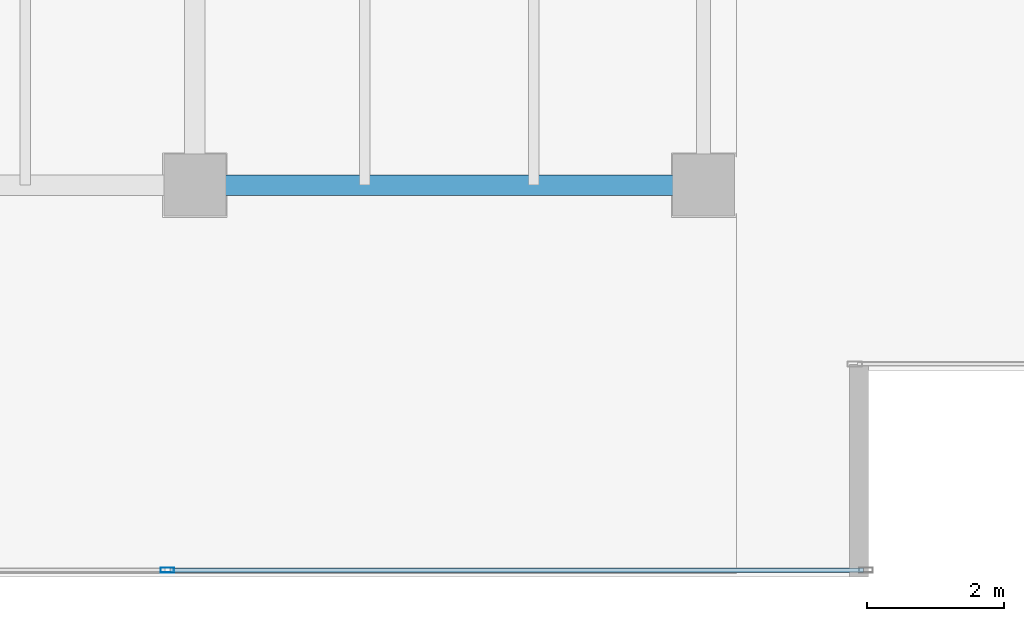
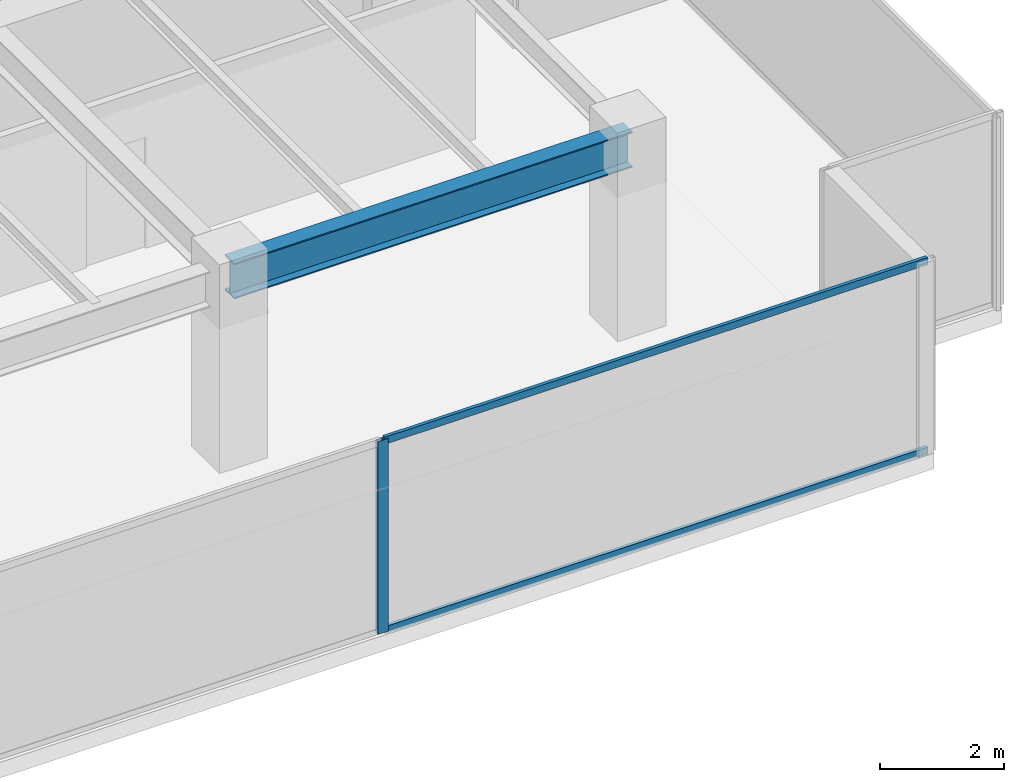
# One storey, part 12 of 33: 3 members, 1 beam, 1 element without a shape of its own.
"""IFC4 building model written with IfcOpenShell, lengths in metres."""

import ifcopenshell
import ifcopenshell.guid

model = None  # the IFC model being written
_history = None  # IfcOwnerHistory: only IFC2X3 demands one
_inside = {}  # id of a spatial element -> (the spatial element, [elements in it])
_under = {}  # id of a project, library or spatial element -> (it, [spatial elements below it])
_declared = {}  # id of a project -> (the project, [libraries it declares])
_typed = {}  # id of a type object -> (the type object, [elements of that type])
_made_of = {}  # id of a material, layer set ... -> (it, [elements and type objects made of it])


def new_model(schema):
    """Start an empty IFC model of exactly this schema.

    Asked for "IFC4X3", IfcOpenShell would pick the latest addendum, in which some entities
    have other attributes; the version numbers below select the first issue.
    IFC2X3 requires an IfcOwnerHistory on every rooted entity: one is made here for all.
    """
    global model, _history
    if schema == "IFC4X3":
        model = ifcopenshell.file(schema_version=(4, 3, 0, 0))
    else:
        model = ifcopenshell.file(schema=schema)
    _inside.clear()
    _under.clear()
    _declared.clear()
    _typed.clear()
    _made_of.clear()
    _history = None
    if model.schema == "IFC2X3":
        org = make("IfcOrganization", Name="unknown")
        user = make(
            "IfcPersonAndOrganization",
            ThePerson=make("IfcPerson", FamilyName="unknown"),
            TheOrganization=org,
        )
        app = make(
            "IfcApplication",
            ApplicationDeveloper=org,
            Version="unknown",
            ApplicationFullName="unknown",
            ApplicationIdentifier="unknown",
        )
        _history = make(
            "IfcOwnerHistory",
            OwningUser=user,
            OwningApplication=app,
            ChangeAction="ADDED",
            CreationDate=0,
        )
    return model


def make(cls, **values):
    """One entity of the class cls with the attributes given. An attribute that is None is left unset."""
    return model.create_entity(
        cls, **{name: value for name, value in values.items() if value is not None}
    )


def rooted(cls, **values):
    """An entity with a GlobalId (a new one), such as an element, a storey or a relation."""
    return make(cls, GlobalId=ifcopenshell.guid.new(), OwnerHistory=_history, **values)


def si_unit(unit_type, name, prefix=None):
    """IfcSIUnit, for example si_unit("LENGTHUNIT", "METRE", prefix="MILLI")."""
    return make("IfcSIUnit", UnitType=unit_type, Prefix=prefix, Name=name)


def assignment(units):
    """IfcUnitAssignment: the units of a project."""
    return None if units is None else make("IfcUnitAssignment", Units=units)


def point(xyz):
    """IfcCartesianPoint."""
    return None if xyz is None else make("IfcCartesianPoint", Coordinates=xyz)


def direction(xyz):
    """IfcDirection."""
    return None if xyz is None else make("IfcDirection", DirectionRatios=xyz)


def frame(location, z_axis=None, x_axis=None):
    """IfcAxis2Placement3D, a coordinate frame: its origin and axes. An axis left out is left unset."""
    return make(
        "IfcAxis2Placement3D",
        Location=point(location),
        Axis=direction(z_axis),
        RefDirection=direction(x_axis),
    )


def frame_2d(location, x_axis=None):
    """IfcAxis2Placement2D, a coordinate frame in the plane: its origin and x axis."""
    return make(
        "IfcAxis2Placement2D", Location=point(location), RefDirection=direction(x_axis)
    )


def origin():
    """The frame at (0, 0, 0) with its axes left unset."""
    return frame((0.0, 0.0, 0.0))


def origin_2d():
    """The frame at (0, 0) in the plane with its x axis left unset."""
    return frame_2d((0.0, 0.0))


def place(relative_to, where):
    """IfcLocalPlacement: puts the frame where relative to a parent placement (None: the world)."""
    return make(
        "IfcLocalPlacement", PlacementRelTo=relative_to, RelativePlacement=where
    )


def context(
    kind, dimensions, precision=None, world=None, true_north=None, identifier=None
):
    """IfcGeometricRepresentationContext, for example the 3D "Model" context."""
    return make(
        "IfcGeometricRepresentationContext",
        ContextIdentifier=identifier,
        ContextType=kind,
        CoordinateSpaceDimension=dimensions,
        Precision=precision,
        WorldCoordinateSystem=world,
        TrueNorth=true_north,
    )


def subcontext(parent, identifier, kind, view, scale=None):
    """IfcGeometricRepresentationSubContext, for example "Body" below "Model"."""
    return make(
        "IfcGeometricRepresentationSubContext",
        ContextIdentifier=identifier,
        ContextType=kind,
        ParentContext=parent,
        TargetScale=scale,
        TargetView=view,
    )


def project(units=None, contexts=None):
    """IfcProject with its units and contexts."""
    return rooted(
        "IfcProject",
        Name="project",
        RepresentationContexts=contexts,
        UnitsInContext=assignment(units),
    )


def spatial(cls, under=None, at=None, **own):
    """A site, building, storey or space (cls), placed at a placement, below another one or the project."""
    s = rooted(cls, ObjectPlacement=at, **own)
    if under is not None:
        _under.setdefault(under.id(), (under, []))[1].append(s)
    return s


def profile(cls, at=None, kind="AREA", **sizes):
    """A parametric profile (cls). Its sizes go by their IFC names, for example OverallWidth=200.0."""
    return make(cls, ProfileType=kind, Position=at, **sizes)


def hollow_rectangle(**sizes):
    """IfcRectangleHollowProfileDef."""
    return profile("IfcRectangleHollowProfileDef", **sizes)


def i_section(**sizes):
    """IfcIShapeProfileDef."""
    return profile("IfcIShapeProfileDef", **sizes)


def extrude(swept, where, along, depth):
    """IfcExtrudedAreaSolid: the profile swept, set in the frame where, extruded along a direction by depth."""
    return make(
        "IfcExtrudedAreaSolid",
        SweptArea=swept,
        Position=where,
        ExtrudedDirection=direction(along),
        Depth=depth,
    )


def shape(context_of_items, identifier, shape_type, items):
    """IfcShapeRepresentation: the items that make up one representation, for example the "Body"."""
    return make(
        "IfcShapeRepresentation",
        ContextOfItems=context_of_items,
        RepresentationIdentifier=identifier,
        RepresentationType=shape_type,
        Items=items,
    )


def source(mapping_origin, context_of_items, identifier, shape_type, items):
    """IfcRepresentationMap: a shape defined once, which mapped items show again and again."""
    return make(
        "IfcRepresentationMap",
        MappingOrigin=mapping_origin,
        MappedRepresentation=shape(context_of_items, identifier, shape_type, items),
    )


def transform(
    local_origin,
    x_axis=None,
    y_axis=None,
    z_axis=None,
    scale=None,
    scale2=None,
    scale3=None,
    uniform=True,
):
    """IfcCartesianTransformationOperator3D, or its non-uniform kind. x_axis, y_axis, z_axis: its Axis1, 2, 3."""
    if uniform:
        return make(
            "IfcCartesianTransformationOperator3D",
            Axis1=direction(x_axis),
            Axis2=direction(y_axis),
            LocalOrigin=point(local_origin),
            Scale=scale,
            Axis3=direction(z_axis),
        )
    return make(
        "IfcCartesianTransformationOperator3DnonUniform",
        Axis1=direction(x_axis),
        Axis2=direction(y_axis),
        LocalOrigin=point(local_origin),
        Scale=scale,
        Axis3=direction(z_axis),
        Scale2=scale2,
        Scale3=scale3,
    )


def mapped(mapping_source, mapping_target):
    """IfcMappedItem: shows the shape of a source again, moved by a transform."""
    return make(
        "IfcMappedItem", MappingSource=mapping_source, MappingTarget=mapping_target
    )


def material(Name=None, Category=None):
    """IfcMaterial."""
    return make("IfcMaterial", Name=Name, Category=Category)


def layer(
    of_material, thickness, ventilated=None, Name=None, Category=None, Priority=None
):
    """IfcMaterialLayer: one layer of a wall or slab, of a material (None: an air gap)."""
    return make(
        "IfcMaterialLayer",
        Material=of_material,
        LayerThickness=thickness,
        IsVentilated=ventilated,
        Name=Name,
        Category=Category,
        Priority=Priority,
    )


def layer_set(layers, Name=None):
    """IfcMaterialLayerSet."""
    return make("IfcMaterialLayerSet", MaterialLayers=layers, LayerSetName=Name)


def material_profile(
    of_material, cross_section, Name=None, Category=None, Priority=None
):
    """IfcMaterialProfile: a cross section and its material."""
    return make(
        "IfcMaterialProfile",
        Name=Name,
        Material=of_material,
        Profile=cross_section,
        Priority=Priority,
        Category=Category,
    )


def profile_set(profiles, Name=None, composite=None):
    """IfcMaterialProfileSet."""
    return make(
        "IfcMaterialProfileSet",
        Name=Name,
        MaterialProfiles=profiles,
        CompositeProfile=composite,
    )


def made_of(thing, what):
    """Note that an element or type object is made of a material, layer set ...; save() writes the relation."""
    if what is not None:
        _made_of.setdefault(what.id(), (what, []))[1].append(thing)
    return thing


def type_object(cls, material=None, **own):
    """A type object (cls), such as IfcWallType, which elements share."""
    return made_of(rooted(cls, **own), material)


def type_shapes(of_type, sources):
    """Give a type object the sources (RepresentationMaps) that its elements show as mapped items."""
    of_type.RepresentationMaps = sources


def element(
    cls,
    number,
    at=None,
    inside=None,
    cuts=None,
    type_object=None,
    material=None,
    context=None,
    identifier="Body",
    shape_type=None,
    held_by="IfcProductDefinitionShape",
    body=None,
    shapes=None,
    **own,
):
    """One element of the class cls, such as IfcWall. Its Tag is "e" and its number.

    at: its placement. inside: the storey or other place that contains it. cuts: it is an
    opening in that element (IfcRelVoidsElement). A single representation is given by context,
    identifier, shape_type and body (its items); several are given by shapes. held_by: the class
    of the entity that holds the representations. save() writes the other relations.
    """
    e = rooted(cls, Tag="e%d" % number, ObjectPlacement=at, **own)
    if body is not None:
        shapes = [shape(context, identifier, shape_type, body)]
    if shapes is not None:
        e.Representation = make(held_by, Representations=shapes)
    if inside is not None:
        _inside.setdefault(inside.id(), (inside, []))[1].append(e)
    if cuts is not None:
        rooted(
            "IfcRelVoidsElement", RelatingBuildingElement=cuts, RelatedOpeningElement=e
        )
    if type_object is not None:
        _typed.setdefault(type_object.id(), (type_object, []))[1].append(e)
    return made_of(e, material)


def aggregate(whole, parts):
    """IfcRelAggregates: a whole, such as a stair, and the parts it consists of."""
    return rooted("IfcRelAggregates", RelatingObject=whole, RelatedObjects=parts)


def save(model, path):
    """Write the relations noted so far, then the file.

    IfcRelAggregates (storeys below a building ...), IfcRelContainedInSpatialStructure (elements
    in a storey), IfcRelDefinesByType, IfcRelAssociatesMaterial and IfcRelDeclares: one each for
    every whole, place, type object, material and project.
    """
    for whole, parts in _under.values():
        aggregate(whole, parts)
    for where, things in _inside.values():
        rooted(
            "IfcRelContainedInSpatialStructure",
            RelatedElements=things,
            RelatingStructure=where,
        )
    for kind, things in _typed.values():
        rooted("IfcRelDefinesByType", RelatedObjects=things, RelatingType=kind)
    for what, things in _made_of.values():
        rooted("IfcRelAssociatesMaterial", RelatedObjects=things, RelatingMaterial=what)
    for by, libraries in _declared.values():
        rooted("IfcRelDeclares", RelatingContext=by, RelatedDefinitions=libraries)
    model.write(path)


model = new_model("IFC4")

# Units and contexts
model_context = context("Model", 3, precision=1e-05, world=origin(), true_north=direction((0.0, 1.0)))
body_context = subcontext(model_context, "Body", "Model", "MODEL_VIEW")
ifc_project = project(units=[si_unit("LENGTHUNIT", "METRE"), si_unit("AREAUNIT", "SQUARE_METRE"), si_unit("VOLUMEUNIT", "CUBIC_METRE"), si_unit("PLANEANGLEUNIT", "RADIAN"), si_unit("MASSUNIT", "GRAM", prefix="KILO")], contexts=[model_context])

# Site, building, storey
site_placement = place(None, origin())
site = spatial("IfcSite", under=ifc_project, at=site_placement, CompositionType="ELEMENT")
building_placement = place(site_placement, origin())
building = spatial("IfcBuilding", under=site, at=building_placement, Name="Haelvirn Gate Laboratories", CompositionType="ELEMENT")
storey_placement = place(building_placement, frame((0.0, 0.0, 117.39990234375)))
storey = spatial("IfcBuildingStorey", under=building, at=storey_placement, Name="L28", CompositionType="ELEMENT", Elevation=117.39990234375)

# Beam
ifc_material_1 = material(Name="Steel SM355", Category="steel")
ifc_material_profile_1 = material_profile(ifc_material_1, i_section(OverallWidth=0.300048828125, OverallDepth=0.699951171875, WebThickness=0.012939453125, FlangeThickness=0.02392578125, at=origin_2d()), Name="H-700x300x13x24")
ifc_profile_set_1 = profile_set([ifc_material_profile_1], Name="Steel SM355")
beam_type = type_object("IfcBeamType", Name="BM-G-700", PredefinedType="BEAM", material=ifc_profile_set_1)
shared_shape_1 = source(origin(), body_context, "Body", "SweptSolid", [
    extrude(i_section(OverallWidth=0.300048828125, OverallDepth=0.699951171875, WebThickness=0.012939453125, FlangeThickness=0.02392578125, at=origin_2d()), origin(), (0.0, 0.0, 1.0), 7.39990234375),
])
type_shapes(beam_type, [shared_shape_1])
beam_placement = place(storey_placement, frame((60.0, 7.0, 3.440185546875), z_axis=(1.0, 0.0, 0.0), x_axis=(0.0, 1.0, 0.0)))
element("IfcBeam", 1, at=beam_placement, inside=storey, type_object=beam_type, Name="L28 Primary Girder Y7.0 (60.0-67.4)", PredefinedType="BEAM", context=body_context, shape_type="MappedRepresentation", body=[
    mapped(shared_shape_1, transform((0.0, 0.0, 0.0), scale=1.0)),
])

# Curtain wall, members
ifc_material_2 = material(Name="Anodised bronze unitised aluminium & triple low-E glass", Category="aluminium")
ifc_layer = layer(ifc_material_2, 0.179931640625, Name="CW-SYS-3")
ifc_layer_set = layer_set([ifc_layer], Name="Anodised bronze unitised aluminium & triple low-E glass")
curtain_wall_type = type_object("IfcCurtainWallType", Name="CW-SYS-3", PredefinedType="NOTDEFINED", material=ifc_layer_set)
curtain_wall_placement = place(storey_placement, origin())
curtain_wall = element("IfcCurtainWall", 2, at=curtain_wall_placement, inside=storey, type_object=curtain_wall_type, Name="L28 Unitised Curtain Wall CW-L28-P0-E04-1", PredefinedType="NOTDEFINED")
ifc_material_3 = material(Name="Extruded aluminium 6063-T6 (anodised bronze)", Category="aluminium")
ifc_material_profile_2 = material_profile(ifc_material_3, hollow_rectangle(XDim=0.06494140625, YDim=0.139892578125, WallThickness=0.00390625, at=origin_2d()), Name="CWT-140x65x4")
ifc_profile_set_2 = profile_set([ifc_material_profile_2], Name="Extruded aluminium 6063-T6 (anodised bronze)")
member_type_1 = type_object("IfcMemberType", Name="CWT-T140", PredefinedType="USERDEFINED", material=ifc_profile_set_2)
shared_shape_2 = source(origin(), body_context, "Body", "SweptSolid", [
    extrude(hollow_rectangle(XDim=0.06494140625, YDim=0.139892578125, WallThickness=0.00390625, at=origin_2d()), origin(), (0.0, 0.0, 1.0), 10.087646484375),
])
type_shapes(member_type_1, [shared_shape_2])
member_1_placement = place(storey_placement, frame((59.637451171875, 1.39990234375, 0.03271484375), z_axis=(1.0, 0.0, 0.0), x_axis=(0.0, 1.0, 0.0)))
member_1 = element("IfcMember", 3, at=member_1_placement, type_object=member_type_1, Name="CW3 transom 2.1", ObjectType="TRANSOM", PredefinedType="USERDEFINED", context=body_context, shape_type="MappedRepresentation", body=[
    mapped(shared_shape_2, transform((0.0, 0.0, 0.0), scale=1.0)),
])
member_2_placement = place(storey_placement, frame((59.637451171875, 1.39990234375, 3.757568359375), z_axis=(1.0, 0.0, 0.0), x_axis=(0.0, 1.0, 0.0)))
member_2 = element("IfcMember", 4, at=member_2_placement, type_object=member_type_1, Name="CW3 transom 2.2", ObjectType="TRANSOM", PredefinedType="USERDEFINED", context=body_context, shape_type="MappedRepresentation", body=[
    mapped(shared_shape_2, transform((0.0, 0.0, 0.0), scale=1.0)),
])
ifc_material_profile_3 = material_profile(ifc_material_3, hollow_rectangle(XDim=0.074951171875, YDim=0.199951171875, WallThickness=0.0048828125, at=origin_2d()), Name="CWM-200x75x5")
ifc_profile_set_3 = profile_set([ifc_material_profile_3], Name="Extruded aluminium 6063-T6 (anodised bronze)")
member_type_2 = type_object("IfcMemberType", Name="CWM-T200", PredefinedType="MULLION", material=ifc_profile_set_3)
shared_shape_3 = source(origin(), body_context, "Body", "SweptSolid", [
    extrude(hollow_rectangle(XDim=0.074951171875, YDim=0.199951171875, WallThickness=0.0048828125, at=origin_2d()), origin(), (0.0, 0.0, 1.0), 3.7900390625),
])
type_shapes(member_type_2, [shared_shape_3])
member_3_placement = place(storey_placement, frame((59.60009765625, 1.39990234375, 0.0), z_axis=(0.0, 0.0, 1.0), x_axis=(0.0, 1.0, 0.0)))
member_3 = element("IfcMember", 5, at=member_3_placement, type_object=member_type_2, Name="CW3 mullion 2", PredefinedType="MULLION", context=body_context, shape_type="MappedRepresentation", body=[
    mapped(shared_shape_3, transform((0.0, 0.0, 0.0), scale=1.0)),
])
aggregate(curtain_wall, [member_3, member_1, member_2])

save(model, "model.ifc")
